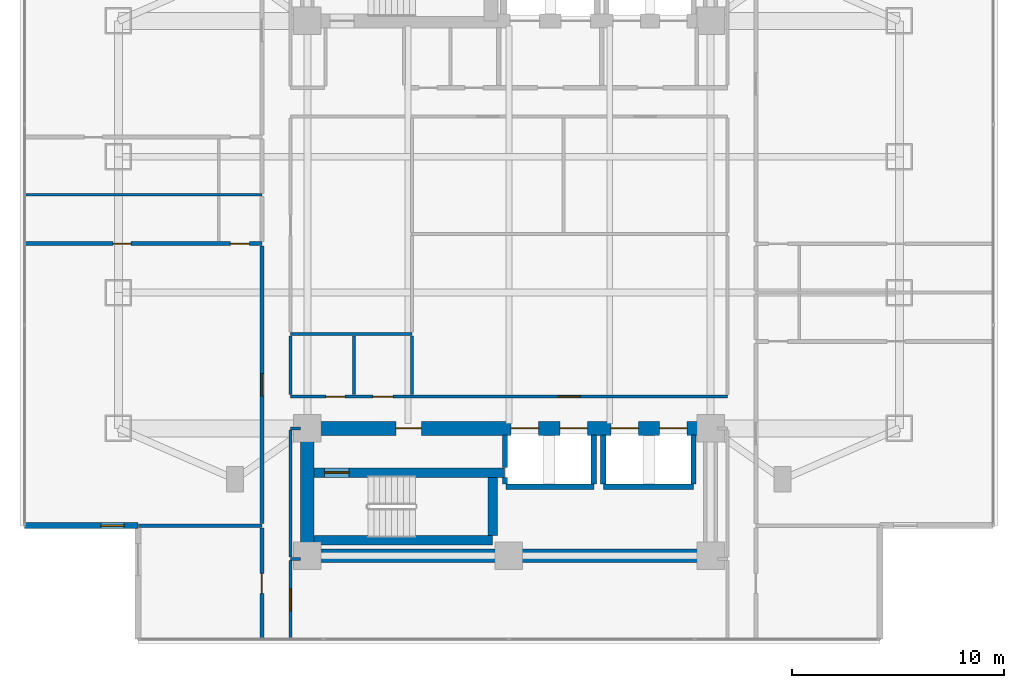
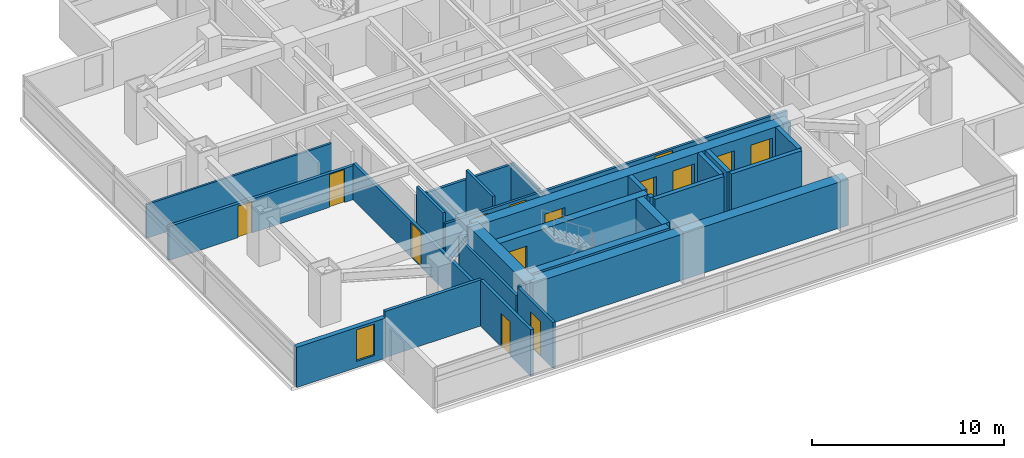
# One storey, part 14 of 26: 28 walls, 14 doors, 1 window, 15 openings.
"""IFC4 building model written with IfcOpenShell, lengths in metres."""

import ifcopenshell
import ifcopenshell.guid

model = None  # the IFC model being written
_history = None  # IfcOwnerHistory: only IFC2X3 demands one
_inside = {}  # id of a spatial element -> (the spatial element, [elements in it])
_under = {}  # id of a project, library or spatial element -> (it, [spatial elements below it])
_declared = {}  # id of a project -> (the project, [libraries it declares])
_typed = {}  # id of a type object -> (the type object, [elements of that type])
_made_of = {}  # id of a material, layer set ... -> (it, [elements and type objects made of it])


def new_model(schema):
    """Start an empty IFC model of exactly this schema.

    Asked for "IFC4X3", IfcOpenShell would pick the latest addendum, in which some entities
    have other attributes; the version numbers below select the first issue.
    IFC2X3 requires an IfcOwnerHistory on every rooted entity: one is made here for all.
    """
    global model, _history
    if schema == "IFC4X3":
        model = ifcopenshell.file(schema_version=(4, 3, 0, 0))
    else:
        model = ifcopenshell.file(schema=schema)
    _inside.clear()
    _under.clear()
    _declared.clear()
    _typed.clear()
    _made_of.clear()
    _history = None
    if model.schema == "IFC2X3":
        org = make("IfcOrganization", Name="unknown")
        user = make(
            "IfcPersonAndOrganization",
            ThePerson=make("IfcPerson", FamilyName="unknown"),
            TheOrganization=org,
        )
        app = make(
            "IfcApplication",
            ApplicationDeveloper=org,
            Version="unknown",
            ApplicationFullName="unknown",
            ApplicationIdentifier="unknown",
        )
        _history = make(
            "IfcOwnerHistory",
            OwningUser=user,
            OwningApplication=app,
            ChangeAction="ADDED",
            CreationDate=0,
        )
    return model


def make(cls, **values):
    """One entity of the class cls with the attributes given. An attribute that is None is left unset."""
    return model.create_entity(
        cls, **{name: value for name, value in values.items() if value is not None}
    )


def rooted(cls, **values):
    """An entity with a GlobalId (a new one), such as an element, a storey or a relation."""
    return make(cls, GlobalId=ifcopenshell.guid.new(), OwnerHistory=_history, **values)


def si_unit(unit_type, name, prefix=None):
    """IfcSIUnit, for example si_unit("LENGTHUNIT", "METRE", prefix="MILLI")."""
    return make("IfcSIUnit", UnitType=unit_type, Prefix=prefix, Name=name)


def assignment(units):
    """IfcUnitAssignment: the units of a project."""
    return None if units is None else make("IfcUnitAssignment", Units=units)


def point(xyz):
    """IfcCartesianPoint."""
    return None if xyz is None else make("IfcCartesianPoint", Coordinates=xyz)


def direction(xyz):
    """IfcDirection."""
    return None if xyz is None else make("IfcDirection", DirectionRatios=xyz)


def frame(location, z_axis=None, x_axis=None):
    """IfcAxis2Placement3D, a coordinate frame: its origin and axes. An axis left out is left unset."""
    return make(
        "IfcAxis2Placement3D",
        Location=point(location),
        Axis=direction(z_axis),
        RefDirection=direction(x_axis),
    )


def frame_2d(location, x_axis=None):
    """IfcAxis2Placement2D, a coordinate frame in the plane: its origin and x axis."""
    return make(
        "IfcAxis2Placement2D", Location=point(location), RefDirection=direction(x_axis)
    )


def origin():
    """The frame at (0, 0, 0) with its axes left unset."""
    return frame((0.0, 0.0, 0.0))


def place(relative_to, where):
    """IfcLocalPlacement: puts the frame where relative to a parent placement (None: the world)."""
    return make(
        "IfcLocalPlacement", PlacementRelTo=relative_to, RelativePlacement=where
    )


def context(
    kind, dimensions, precision=None, world=None, true_north=None, identifier=None
):
    """IfcGeometricRepresentationContext, for example the 3D "Model" context."""
    return make(
        "IfcGeometricRepresentationContext",
        ContextIdentifier=identifier,
        ContextType=kind,
        CoordinateSpaceDimension=dimensions,
        Precision=precision,
        WorldCoordinateSystem=world,
        TrueNorth=true_north,
    )


def subcontext(parent, identifier, kind, view, scale=None):
    """IfcGeometricRepresentationSubContext, for example "Body" below "Model"."""
    return make(
        "IfcGeometricRepresentationSubContext",
        ContextIdentifier=identifier,
        ContextType=kind,
        ParentContext=parent,
        TargetScale=scale,
        TargetView=view,
    )


def project(units=None, contexts=None):
    """IfcProject with its units and contexts."""
    return rooted(
        "IfcProject",
        Name="project",
        RepresentationContexts=contexts,
        UnitsInContext=assignment(units),
    )


def spatial(cls, under=None, at=None, **own):
    """A site, building, storey or space (cls), placed at a placement, below another one or the project."""
    s = rooted(cls, ObjectPlacement=at, **own)
    if under is not None:
        _under.setdefault(under.id(), (under, []))[1].append(s)
    return s


def profile(cls, at=None, kind="AREA", **sizes):
    """A parametric profile (cls). Its sizes go by their IFC names, for example OverallWidth=200.0."""
    return make(cls, ProfileType=kind, Position=at, **sizes)


def rectangle(**sizes):
    """IfcRectangleProfileDef."""
    return profile("IfcRectangleProfileDef", **sizes)


def extrude(swept, where, along, depth):
    """IfcExtrudedAreaSolid: the profile swept, set in the frame where, extruded along a direction by depth."""
    return make(
        "IfcExtrudedAreaSolid",
        SweptArea=swept,
        Position=where,
        ExtrudedDirection=direction(along),
        Depth=depth,
    )


def shape(context_of_items, identifier, shape_type, items):
    """IfcShapeRepresentation: the items that make up one representation, for example the "Body"."""
    return make(
        "IfcShapeRepresentation",
        ContextOfItems=context_of_items,
        RepresentationIdentifier=identifier,
        RepresentationType=shape_type,
        Items=items,
    )


def material(Name=None, Category=None):
    """IfcMaterial."""
    return make("IfcMaterial", Name=Name, Category=Category)


def layer(
    of_material, thickness, ventilated=None, Name=None, Category=None, Priority=None
):
    """IfcMaterialLayer: one layer of a wall or slab, of a material (None: an air gap)."""
    return make(
        "IfcMaterialLayer",
        Material=of_material,
        LayerThickness=thickness,
        IsVentilated=ventilated,
        Name=Name,
        Category=Category,
        Priority=Priority,
    )


def layer_set(layers, Name=None):
    """IfcMaterialLayerSet."""
    return make("IfcMaterialLayerSet", MaterialLayers=layers, LayerSetName=Name)


def made_of(thing, what):
    """Note that an element or type object is made of a material, layer set ...; save() writes the relation."""
    if what is not None:
        _made_of.setdefault(what.id(), (what, []))[1].append(thing)
    return thing


def type_object(cls, material=None, **own):
    """A type object (cls), such as IfcWallType, which elements share."""
    return made_of(rooted(cls, **own), material)


def element(
    cls,
    number,
    at=None,
    inside=None,
    cuts=None,
    type_object=None,
    material=None,
    context=None,
    identifier="Body",
    shape_type=None,
    held_by="IfcProductDefinitionShape",
    body=None,
    shapes=None,
    **own,
):
    """One element of the class cls, such as IfcWall. Its Tag is "e" and its number.

    at: its placement. inside: the storey or other place that contains it. cuts: it is an
    opening in that element (IfcRelVoidsElement). A single representation is given by context,
    identifier, shape_type and body (its items); several are given by shapes. held_by: the class
    of the entity that holds the representations. save() writes the other relations.
    """
    e = rooted(cls, Tag="e%d" % number, ObjectPlacement=at, **own)
    if body is not None:
        shapes = [shape(context, identifier, shape_type, body)]
    if shapes is not None:
        e.Representation = make(held_by, Representations=shapes)
    if inside is not None:
        _inside.setdefault(inside.id(), (inside, []))[1].append(e)
    if cuts is not None:
        rooted(
            "IfcRelVoidsElement", RelatingBuildingElement=cuts, RelatedOpeningElement=e
        )
    if type_object is not None:
        _typed.setdefault(type_object.id(), (type_object, []))[1].append(e)
    return made_of(e, material)


def fill(opening, filler):
    """IfcRelFillsElement: the door or window that sits in an opening."""
    return rooted(
        "IfcRelFillsElement",
        RelatingOpeningElement=opening,
        RelatedBuildingElement=filler,
    )


def aggregate(whole, parts):
    """IfcRelAggregates: a whole, such as a stair, and the parts it consists of."""
    return rooted("IfcRelAggregates", RelatingObject=whole, RelatedObjects=parts)


def save(model, path):
    """Write the relations noted so far, then the file.

    IfcRelAggregates (storeys below a building ...), IfcRelContainedInSpatialStructure (elements
    in a storey), IfcRelDefinesByType, IfcRelAssociatesMaterial and IfcRelDeclares: one each for
    every whole, place, type object, material and project.
    """
    for whole, parts in _under.values():
        aggregate(whole, parts)
    for where, things in _inside.values():
        rooted(
            "IfcRelContainedInSpatialStructure",
            RelatedElements=things,
            RelatingStructure=where,
        )
    for kind, things in _typed.values():
        rooted("IfcRelDefinesByType", RelatedObjects=things, RelatingType=kind)
    for what, things in _made_of.values():
        rooted("IfcRelAssociatesMaterial", RelatedObjects=things, RelatingMaterial=what)
    for by, libraries in _declared.values():
        rooted("IfcRelDeclares", RelatingContext=by, RelatedDefinitions=libraries)
    model.write(path)


model = new_model("IFC4")

# Units and contexts
model_context = context("Model", 3, precision=1e-05, world=origin(), true_north=direction((0.0, 1.0)))
body_context = subcontext(model_context, "Body", "Model", "MODEL_VIEW")
ifc_project = project(units=[si_unit("LENGTHUNIT", "METRE"), si_unit("AREAUNIT", "SQUARE_METRE"), si_unit("VOLUMEUNIT", "CUBIC_METRE"), si_unit("PLANEANGLEUNIT", "RADIAN"), si_unit("MASSUNIT", "GRAM", prefix="KILO")], contexts=[model_context])

# Site, building, storey
site_placement = place(None, origin())
site = spatial("IfcSite", under=ifc_project, at=site_placement, CompositionType="ELEMENT")
building_placement = place(site_placement, origin())
building = spatial("IfcBuilding", under=site, at=building_placement, Name="Mirazonda Arch Towers", CompositionType="ELEMENT")
storey_placement = place(building_placement, frame((0.0, 0.0, 78.5)))
storey = spatial("IfcBuildingStorey", under=building, at=storey_placement, Name="L22", CompositionType="ELEMENT", Elevation=78.5)

# Wall
ifc_material_1 = material(Name="Concrete C50/60", Category="concrete")
ifc_layer_1 = layer(ifc_material_1, 0.449951171875, Name="WALL-CORE-450")
ifc_layer_set_1 = layer_set([ifc_layer_1], Name="Concrete C50/60")
wall_type_1 = type_object("IfcWallType", Name="WALL-CORE-450", PredefinedType="SHEAR", material=ifc_layer_set_1)
wall_1_placement = place(storey_placement, frame((11.320068359375, 13.1201171875, 0.0), z_axis=(0.0, 0.0, 1.0), x_axis=(1.0, 0.0, 0.0)))
element("IfcWall", 1, at=wall_1_placement, inside=storey, type_object=wall_type_1, Name="L22 Stair Core Shear Wall 003", PredefinedType="SHEAR", context=body_context, shape_type="SweptSolid", body=[
    extrude(rectangle(XDim=8.409912109375, YDim=0.449951171875, at=frame_2d((4.205078125, 0.0))), origin(), (0.0, 0.0, 1.0), 2.93994140625),
])

# Wall, opening, door
wall_2_placement = place(storey_placement, frame((11.320068359375, 16.320068359375, 0.0), z_axis=(0.0, 0.0, 1.0), x_axis=(1.0, 0.0, 0.0)))
wall_2 = element("IfcWall", 2, at=wall_2_placement, inside=storey, type_object=wall_type_1, Name="L22 Stair Core Shear Wall 010", PredefinedType="SHEAR", context=body_context, shape_type="SweptSolid", body=[
    extrude(rectangle(XDim=8.9599609375, YDim=0.449951171875, at=frame_2d((4.47998046875, 0.0))), origin(), (0.0, 0.0, 1.0), 2.93994140625),
])
opening_1_placement = place(wall_2_placement, frame((0.4951171875, 0.0, 0.0)))
opening_1 = element("IfcOpeningElement", 3, at=opening_1_placement, cuts=wall_2, Name="Opening DR-135", PredefinedType="OPENING", context=body_context, shape_type="SweptSolid", body=[
    extrude(rectangle(XDim=1.14990234375, YDim=2.199951171875, at=frame_2d((0.574951171875, 1.10009765625))), frame((0.0, 0.23486328125, 0.0), z_axis=(0.0, -1.0, 0.0), x_axis=(1.0, 0.0, 0.0)), (0.0, 0.0, 1.0), 0.469970703125),
])
ifc_material_2 = material(Name="Architectural Brushed Steel S355", Category="steel")
door_type_1 = type_object("IfcDoorType", Name="DOOR-STAIR-FD90-1150", OperationType="NOTDEFINED", PredefinedType="DOOR", material=ifc_material_2)
door_1_placement = place(opening_1_placement, origin())
door_1 = element("IfcDoor", 4, at=door_1_placement, inside=storey, type_object=door_type_1, Name="L22 Protected Exit Stair South Door", OperationType="SINGLE_SWING_LEFT", OverallHeight=2.199951171875, OverallWidth=1.14990234375, PredefinedType="DOOR", context=body_context, shape_type="SweptSolid", body=[
    extrude(rectangle(XDim=1.14990234375, YDim=2.199951171875, at=frame_2d((0.574951171875, 1.10009765625))), frame((0.0, 0.02490234375, 0.0), z_axis=(0.0, -1.0, 0.0), x_axis=(1.0, 0.0, 0.0)), (0.0, 0.0, 1.0), 0.050048828125),
])
fill(opening_1, door_1)

# Walls
wall_3_placement = place(storey_placement, frame((19.72998046875, 13.35498046875, 0.0), z_axis=(0.0, 0.0, 1.0), x_axis=(0.0, 1.0, 0.0)))
element("IfcWall", 5, at=wall_3_placement, inside=storey, type_object=wall_type_1, Name="L22 Stair Core Shear Wall 079", PredefinedType="SHEAR", context=body_context, shape_type="SweptSolid", body=[
    extrude(rectangle(XDim=2.72998046875, YDim=0.449951171875, at=frame_2d((1.364990234375, 0.0))), origin(), (0.0, 0.0, 1.0), 2.93994140625),
])
ifc_material_3 = material(Name="Concrete C60/75", Category="concrete")
ifc_layer_2 = layer(ifc_material_3, 0.64990234375, Name="WALL-CORE-650")
ifc_layer_set_2 = layer_set([ifc_layer_2], Name="Concrete C60/75")
wall_type_2 = type_object("IfcWallType", Name="WALL-CORE-650", PredefinedType="SHEAR", material=ifc_layer_set_2)
wall_4_placement = place(storey_placement, frame((11.0, 12.39990234375, 0.0), z_axis=(0.0, 0.0, 1.0), x_axis=(1.0, 0.0, 0.0)))
element("IfcWall", 6, at=wall_4_placement, inside=storey, type_object=wall_type_2, Name="L22 T1S-S Core Shear Wall", PredefinedType="SHEAR", context=body_context, shape_type="SweptSolid", body=[
    extrude(rectangle(XDim=19.0, YDim=0.64990234375, at=frame_2d((9.5, 0.0))), origin(), (0.0, 0.0, 1.0), 2.93994140625),
])
wall_5_placement = place(storey_placement, frame((11.0, 12.39990234375, 0.0), z_axis=(0.0, 0.0, 1.0), x_axis=(0.0, 1.0, 0.0)))
element("IfcWall", 7, at=wall_5_placement, inside=storey, type_object=wall_type_2, Name="L22 T1S-W Core Shear Wall", PredefinedType="SHEAR", context=body_context, shape_type="SweptSolid", body=[
    extrude(rectangle(XDim=6.0, YDim=0.64990234375, at=frame_2d((3.0, 0.0))), origin(), (0.0, 0.0, 1.0), 2.93994140625),
])

# Wall, openings, doors
wall_6_placement = place(storey_placement, frame((11.0, 18.39990234375, 0.0), z_axis=(0.0, 0.0, 1.0), x_axis=(1.0, 0.0, 0.0)))
wall_6 = element("IfcWall", 8, at=wall_6_placement, inside=storey, type_object=wall_type_2, Name="L22 T1S-N Core Shear Wall", PredefinedType="SHEAR", context=body_context, shape_type="SweptSolid", body=[
    extrude(rectangle(XDim=19.0, YDim=0.64990234375, at=frame_2d((9.5, 0.0))), origin(), (0.0, 0.0, 1.0), 2.93994140625),
])
opening_2_placement = place(wall_6_placement, frame((4.175048828125, 0.0, 0.0)))
opening_2 = element("IfcOpeningElement", 9, at=opening_2_placement, cuts=wall_6, Name="Opening DR-117", PredefinedType="OPENING", context=body_context, shape_type="SweptSolid", body=[
    extrude(rectangle(XDim=1.199951171875, YDim=2.25, at=frame_2d((0.60009765625, 1.125))), frame((0.0, 0.3349609375, 0.0), z_axis=(0.0, -1.0, 0.0), x_axis=(1.0, 0.0, 0.0)), (0.0, 0.0, 1.0), 0.669921875),
])
opening_3_placement = place(wall_6_placement, frame((9.60009765625, 0.0, 0.0)))
opening_3 = element("IfcOpeningElement", 10, at=opening_3_placement, cuts=wall_6, Name="Opening LD-111", PredefinedType="OPENING", context=body_context, shape_type="SweptSolid", body=[
    extrude(rectangle(XDim=1.300048828125, YDim=2.300048828125, at=frame_2d((0.64990234375, 1.14990234375))), frame((0.0, 0.3349609375, 0.0), z_axis=(0.0, -1.0, 0.0), x_axis=(1.0, 0.0, 0.0)), (0.0, 0.0, 1.0), 0.669921875),
])
opening_4_placement = place(wall_6_placement, frame((11.89990234375, 0.0, 0.0)))
opening_4 = element("IfcOpeningElement", 11, at=opening_4_placement, cuts=wall_6, Name="Opening LD-111", PredefinedType="OPENING", context=body_context, shape_type="SweptSolid", body=[
    extrude(rectangle(XDim=1.300048828125, YDim=2.300048828125, at=frame_2d((0.64990234375, 1.14990234375))), frame((0.0, 0.3349609375, 0.0), z_axis=(0.0, -1.0, 0.0), x_axis=(1.0, 0.0, 0.0)), (0.0, 0.0, 1.0), 0.669921875),
])
opening_5_placement = place(wall_6_placement, frame((14.300048828125, 0.0, 0.0)))
opening_5 = element("IfcOpeningElement", 12, at=opening_5_placement, cuts=wall_6, Name="Opening LD-111", PredefinedType="OPENING", context=body_context, shape_type="SweptSolid", body=[
    extrude(rectangle(XDim=1.300048828125, YDim=2.300048828125, at=frame_2d((0.64990234375, 1.14990234375))), frame((0.0, 0.3349609375, 0.0), z_axis=(0.0, -1.0, 0.0), x_axis=(1.0, 0.0, 0.0)), (0.0, 0.0, 1.0), 0.669921875),
])
opening_6_placement = place(wall_6_placement, frame((16.60009765625, 0.0, 0.0)))
opening_6 = element("IfcOpeningElement", 13, at=opening_6_placement, cuts=wall_6, Name="Opening LD-111", PredefinedType="OPENING", context=body_context, shape_type="SweptSolid", body=[
    extrude(rectangle(XDim=1.300048828125, YDim=2.300048828125, at=frame_2d((0.64990234375, 1.14990234375))), frame((0.0, 0.3349609375, 0.0), z_axis=(0.0, -1.0, 0.0), x_axis=(1.0, 0.0, 0.0)), (0.0, 0.0, 1.0), 0.669921875),
])
door_type_2 = type_object("IfcDoorType", Name="DOOR-FFL-FD90-1200", OperationType="NOTDEFINED", PredefinedType="DOOR", material=ifc_material_2)
door_2_placement = place(opening_2_placement, origin())
door_2 = element("IfcDoor", 14, at=door_2_placement, inside=storey, type_object=door_type_2, Name="L22 South Core Stair & Lift Lobby Door", OperationType="SINGLE_SWING_RIGHT", OverallHeight=2.25, OverallWidth=1.199951171875, PredefinedType="DOOR", context=body_context, shape_type="SweptSolid", body=[
    extrude(rectangle(XDim=1.199951171875, YDim=2.25, at=frame_2d((0.60009765625, 1.125))), frame((0.0, 0.02490234375, 0.0), z_axis=(0.0, -1.0, 0.0), x_axis=(1.0, 0.0, 0.0)), (0.0, 0.0, 1.0), 0.050048828125),
])
fill(opening_2, door_2)
door_type_3 = type_object("IfcDoorType", Name="DOOR-LIFT-LAND-1300", OperationType="NOTDEFINED", PredefinedType="DOOR", material=ifc_material_2)
door_3_placement = place(opening_3_placement, origin())
door_3 = element("IfcDoor", 15, at=door_3_placement, inside=storey, type_object=door_type_3, Name="L22 Lift Landing Sliding Door PL-T1M1", OperationType="DOUBLE_DOOR_SLIDING", OverallHeight=2.300048828125, OverallWidth=1.300048828125, PredefinedType="DOOR", context=body_context, shape_type="SweptSolid", body=[
    extrude(rectangle(XDim=1.300048828125, YDim=2.300048828125, at=frame_2d((0.64990234375, 1.14990234375))), frame((0.0, 0.02490234375, 0.0), z_axis=(0.0, -1.0, 0.0), x_axis=(1.0, 0.0, 0.0)), (0.0, 0.0, 1.0), 0.050048828125),
])
fill(opening_3, door_3)
door_4_placement = place(opening_4_placement, origin())
door_4 = element("IfcDoor", 16, at=door_4_placement, inside=storey, type_object=door_type_3, Name="L22 Lift Landing Sliding Door PL-T1M2", OperationType="DOUBLE_DOOR_SLIDING", OverallHeight=2.300048828125, OverallWidth=1.300048828125, PredefinedType="DOOR", context=body_context, shape_type="SweptSolid", body=[
    extrude(rectangle(XDim=1.300048828125, YDim=2.300048828125, at=frame_2d((0.64990234375, 1.14990234375))), frame((0.0, 0.02490234375, 0.0), z_axis=(0.0, -1.0, 0.0), x_axis=(1.0, 0.0, 0.0)), (0.0, 0.0, 1.0), 0.050048828125),
])
fill(opening_4, door_4)
door_5_placement = place(opening_5_placement, origin())
door_5 = element("IfcDoor", 17, at=door_5_placement, inside=storey, type_object=door_type_3, Name="L22 Lift Landing Sliding Door PL-T1H1", OperationType="DOUBLE_DOOR_SLIDING", OverallHeight=2.300048828125, OverallWidth=1.300048828125, PredefinedType="DOOR", context=body_context, shape_type="SweptSolid", body=[
    extrude(rectangle(XDim=1.300048828125, YDim=2.300048828125, at=frame_2d((0.64990234375, 1.14990234375))), frame((0.0, 0.02490234375, 0.0), z_axis=(0.0, -1.0, 0.0), x_axis=(1.0, 0.0, 0.0)), (0.0, 0.0, 1.0), 0.050048828125),
])
fill(opening_5, door_5)
door_6_placement = place(opening_6_placement, origin())
door_6 = element("IfcDoor", 18, at=door_6_placement, inside=storey, type_object=door_type_3, Name="L22 Lift Landing Sliding Door PL-T1H2", OperationType="DOUBLE_DOOR_SLIDING", OverallHeight=2.300048828125, OverallWidth=1.300048828125, PredefinedType="DOOR", context=body_context, shape_type="SweptSolid", body=[
    extrude(rectangle(XDim=1.300048828125, YDim=2.300048828125, at=frame_2d((0.64990234375, 1.14990234375))), frame((0.0, 0.02490234375, 0.0), z_axis=(0.0, -1.0, 0.0), x_axis=(1.0, 0.0, 0.0)), (0.0, 0.0, 1.0), 0.050048828125),
])
fill(opening_6, door_6)

# Wall, opening, window
ifc_material_4 = material(Name="Precast Concrete C40/50", Category="concrete")
ifc_layer_3 = layer(ifc_material_4, 0.280029296875, Name="WALL-EXT-WALL-280")
ifc_layer_set_3 = layer_set([ifc_layer_3], Name="Precast Concrete C40/50")
wall_type_3 = type_object("IfcWallType", Name="WALL-EXT-WALL-280", PredefinedType="SOLIDWALL", material=ifc_layer_set_3)
wall_7_placement = place(storey_placement, frame((-2.320068359375, 13.81591796875, 0.0), z_axis=(0.0, 0.0, 1.0), x_axis=(1.0, 0.0, 0.0)))
wall_7 = element("IfcWall", 19, at=wall_7_placement, inside=storey, type_object=wall_type_3, Name="L22 T1 Corner Notch Return Wall WL-L22-T1-CSW2", PredefinedType="SOLIDWALL", context=body_context, shape_type="SweptSolid", body=[
    extrude(rectangle(XDim=5.340087890625, YDim=0.280029296875, at=frame_2d((2.669921875, 0.0))), origin(), (0.0, 0.0, 1.0), 2.56005859375),
])
opening_7_placement = place(wall_7_placement, frame((3.590087890625, 0.0, 0.409912109375)))
opening_7 = element("IfcOpeningElement", 20, at=opening_7_placement, cuts=wall_7, Name="Opening WN-108", PredefinedType="OPENING", context=body_context, shape_type="SweptSolid", body=[
    extrude(rectangle(XDim=1.10009765625, YDim=2.0, at=frame_2d((0.550048828125, 1.0))), frame((0.0, 0.14990234375, 0.0), z_axis=(0.0, -1.0, 0.0), x_axis=(1.0, 0.0, 0.0)), (0.0, 0.0, 1.0), 0.300048828125),
])
ifc_material_5 = material(Name="Insulated Low-E Solar Glass", Category="glass")
window_type = type_object("IfcWindowType", Name="WIN-NOTCH-1100x2000", PartitioningType="SINGLE_PANEL", PredefinedType="WINDOW", material=ifc_material_5)
window_placement = place(opening_7_placement, origin())
window = element("IfcWindow", 21, at=window_placement, inside=storey, type_object=window_type, Name="L22 Punched Facade Window WN-L22-T1-CSW2", OverallHeight=2.0, OverallWidth=1.10009765625, PartitioningType="SINGLE_PANEL", PredefinedType="WINDOW", context=body_context, shape_type="SweptSolid", body=[
    extrude(rectangle(XDim=1.10009765625, YDim=2.0, at=frame_2d((0.550048828125, 1.0))), frame((0.0, 0.030029296875, 0.0), z_axis=(0.0, -1.0, 0.0), x_axis=(1.0, 0.0, 0.0)), (0.0, 0.0, 1.0), 0.06005859375),
])
fill(opening_7, window)

# Walls
ifc_material_6 = material(Name="Fire-Rated Gypsum Stud Partition")
ifc_layer_4 = layer(ifc_material_6, 0.14990234375, Name="WALL-PART-CORR-150")
ifc_layer_set_4 = layer_set([ifc_layer_4], Name="Fire-Rated Gypsum Stud Partition")
wall_type_4 = type_object("IfcWallType", Name="WALL-PART-CORR-150", PredefinedType="PARTITIONING", material=ifc_layer_set_4)
wall_8_placement = place(storey_placement, frame((10.199951171875, 12.25, 0.0), z_axis=(0.0, 0.0, 1.0), x_axis=(1.0, 0.0, 0.0)))
element("IfcWall", 22, at=wall_8_placement, inside=storey, type_object=wall_type_4, Name="L22 Interior Partition 001", PredefinedType="PARTITIONING", context=body_context, shape_type="SweptSolid", body=[
    extrude(rectangle(XDim=0.47998046875, YDim=0.14990234375, at=frame_2d((0.239990234375, 0.0))), origin(), (0.0, 0.0, 1.0), 2.93994140625),
])
wall_9_placement = place(storey_placement, frame((10.199951171875, 18.39990234375, 0.0), z_axis=(0.0, 0.0, 1.0), x_axis=(1.0, 0.0, 0.0)))
element("IfcWall", 23, at=wall_9_placement, inside=storey, type_object=wall_type_4, Name="L22 Interior Partition 012", PredefinedType="PARTITIONING", context=body_context, shape_type="SweptSolid", body=[
    extrude(rectangle(XDim=0.47998046875, YDim=0.14990234375, at=frame_2d((0.239990234375, 0.0))), origin(), (0.0, 0.0, 1.0), 2.31591796875),
])

# Wall, openings, doors
wall_10_placement = place(storey_placement, frame((10.199951171875, 19.89990234375, 0.0), z_axis=(0.0, 0.0, 1.0), x_axis=(1.0, 0.0, 0.0)))
wall_10 = element("IfcWall", 24, at=wall_10_placement, inside=storey, type_object=wall_type_4, Name="L22 Interior Partition 015", PredefinedType="PARTITIONING", context=body_context, shape_type="SweptSolid", body=[
    extrude(rectangle(XDim=20.60009765625, YDim=0.14990234375, at=frame_2d((10.300048828125, 0.0))), origin(), (0.0, 0.0, 1.0), 2.31591796875),
])
opening_8_placement = place(wall_10_placement, frame((1.669921875, 0.0, 0.0)))
opening_8 = element("IfcOpeningElement", 25, at=opening_8_placement, cuts=wall_10, Name="Opening DR-120", PredefinedType="OPENING", context=body_context, shape_type="SweptSolid", body=[
    extrude(rectangle(XDim=0.89990234375, YDim=2.10009765625, at=frame_2d((0.449951171875, 1.050048828125))), frame((0.0, 0.0849609375, 0.0), z_axis=(0.0, -1.0, 0.0), x_axis=(1.0, 0.0, 0.0)), (0.0, 0.0, 1.0), 0.169921875),
])
opening_9_placement = place(wall_10_placement, frame((3.889892578125, 0.0, 0.0)))
opening_9 = element("IfcOpeningElement", 26, at=opening_9_placement, cuts=wall_10, Name="Opening DR-104", PredefinedType="OPENING", context=body_context, shape_type="SweptSolid", body=[
    extrude(rectangle(XDim=0.949951171875, YDim=2.14990234375, at=frame_2d((0.47509765625, 1.074951171875))), frame((0.0, 0.0849609375, 0.0), z_axis=(0.0, -1.0, 0.0), x_axis=(1.0, 0.0, 0.0)), (0.0, 0.0, 1.0), 0.169921875),
])
opening_10_placement = place(wall_10_placement, frame((12.6201171875, 0.0, 0.0)))
opening_10 = element("IfcOpeningElement", 27, at=opening_10_placement, cuts=wall_10, Name="Opening DR-121", PredefinedType="OPENING", context=body_context, shape_type="SweptSolid", body=[
    extrude(rectangle(XDim=1.050048828125, YDim=2.199951171875, at=frame_2d((0.52490234375, 1.10009765625))), frame((0.0, 0.0849609375, 0.0), z_axis=(0.0, -1.0, 0.0), x_axis=(1.0, 0.0, 0.0)), (0.0, 0.0, 1.0), 0.169921875),
])
door_type_4 = type_object("IfcDoorType", Name="DOOR-ROOM-950", OperationType="NOTDEFINED", PredefinedType="DOOR", material=ifc_material_2)
door_7_placement = place(opening_9_placement, origin())
door_7 = element("IfcDoor", 28, at=door_7_placement, inside=storey, type_object=door_type_4, Name="L22 L22 West Courtyard Study Door", OperationType="SINGLE_SWING_LEFT", OverallHeight=2.14990234375, OverallWidth=0.949951171875, PredefinedType="DOOR", context=body_context, shape_type="SweptSolid", body=[
    extrude(rectangle(XDim=0.949951171875, YDim=2.14990234375, at=frame_2d((0.47509765625, 1.074951171875))), frame((0.0, 0.02490234375, 0.0), z_axis=(0.0, -1.0, 0.0), x_axis=(1.0, 0.0, 0.0)), (0.0, 0.0, 1.0), 0.050048828125),
])
fill(opening_9, door_7)
door_type_5 = type_object("IfcDoorType", Name="DOOR-SUITE-FD60-1050", OperationType="NOTDEFINED", PredefinedType="DOOR", material=ifc_material_2)
door_8_placement = place(opening_10_placement, origin())
door_8 = element("IfcDoor", 29, at=door_8_placement, inside=storey, type_object=door_type_5, Name="L22 Executive Club Lounge Door", OperationType="SINGLE_SWING_LEFT", OverallHeight=2.199951171875, OverallWidth=1.050048828125, PredefinedType="DOOR", context=body_context, shape_type="SweptSolid", body=[
    extrude(rectangle(XDim=1.050048828125, YDim=2.199951171875, at=frame_2d((0.52490234375, 1.10009765625))), frame((0.0, 0.02490234375, 0.0), z_axis=(0.0, -1.0, 0.0), x_axis=(1.0, 0.0, 0.0)), (0.0, 0.0, 1.0), 0.050048828125),
])
fill(opening_10, door_8)
door_type_6 = type_object("IfcDoorType", Name="DOOR-WC-900", OperationType="NOTDEFINED", PredefinedType="DOOR", material=ifc_material_2)
door_9_placement = place(opening_8_placement, origin())
door_9 = element("IfcDoor", 30, at=door_9_placement, inside=storey, type_object=door_type_6, Name="L22 Common Accessible WC Door", OperationType="SINGLE_SWING_RIGHT", OverallHeight=2.10009765625, OverallWidth=0.89990234375, PredefinedType="DOOR", context=body_context, shape_type="SweptSolid", body=[
    extrude(rectangle(XDim=0.89990234375, YDim=2.10009765625, at=frame_2d((0.449951171875, 1.050048828125))), frame((0.0, 0.02490234375, 0.0), z_axis=(0.0, -1.0, 0.0), x_axis=(1.0, 0.0, 0.0)), (0.0, 0.0, 1.0), 0.050048828125),
])
fill(opening_8, door_9)

# Wall
wall_11_placement = place(storey_placement, frame((10.199951171875, 22.85009765625, 0.0), z_axis=(0.0, 0.0, 1.0), x_axis=(1.0, 0.0, 0.0)))
element("IfcWall", 31, at=wall_11_placement, inside=storey, type_object=wall_type_4, Name="L22 Interior Partition 022", PredefinedType="PARTITIONING", context=body_context, shape_type="SweptSolid", body=[
    extrude(rectangle(XDim=5.72998046875, YDim=0.14990234375, at=frame_2d((2.864990234375, 0.0))), origin(), (0.0, 0.0, 1.0), 2.31591796875),
])

# Wall, opening, door
wall_12_placement = place(storey_placement, frame((10.199951171875, 8.47607421875, 0.0), z_axis=(0.0, 0.0, 1.0), x_axis=(0.0, 1.0, 0.0)))
wall_12 = element("IfcWall", 32, at=wall_12_placement, inside=storey, type_object=wall_type_4, Name="L22 Interior Partition 065", PredefinedType="PARTITIONING", context=body_context, shape_type="SweptSolid", body=[
    extrude(rectangle(XDim=3.68896484375, YDim=0.14990234375, at=frame_2d((1.844482421875, 0.0))), origin(), (0.0, 0.0, 1.0), 2.93994140625),
])
opening_11_placement = place(wall_12_placement, frame((1.319580078125, 0.0, 0.0)))
opening_11 = element("IfcOpeningElement", 33, at=opening_11_placement, cuts=wall_12, Name="Opening DR-121", PredefinedType="OPENING", context=body_context, shape_type="SweptSolid", body=[
    extrude(rectangle(XDim=1.050048828125, YDim=2.199951171875, at=frame_2d((0.52490234375, 1.10009765625))), frame((0.0, 0.0849609375, 0.0), z_axis=(0.0, -1.0, 0.0), x_axis=(1.0, 0.0, 0.0)), (0.0, 0.0, 1.0), 0.169921875),
])
door_10_placement = place(opening_11_placement, origin())
door_10 = element("IfcDoor", 34, at=door_10_placement, inside=storey, type_object=door_type_5, Name="L22 South Horizon Lounge Gallery Door", OperationType="SINGLE_SWING_RIGHT", OverallHeight=2.199951171875, OverallWidth=1.050048828125, PredefinedType="DOOR", context=body_context, shape_type="SweptSolid", body=[
    extrude(rectangle(XDim=1.050048828125, YDim=2.199951171875, at=frame_2d((0.52490234375, 1.10009765625))), frame((0.0, 0.02490234375, 0.0), z_axis=(0.0, -1.0, 0.0), x_axis=(1.0, 0.0, 0.0)), (0.0, 0.0, 1.0), 0.050048828125),
])
fill(opening_11, door_10)

# Walls
wall_13_placement = place(storey_placement, frame((10.199951171875, 12.3349609375, 0.0), z_axis=(0.0, 0.0, 1.0), x_axis=(0.0, 1.0, 0.0)))
element("IfcWall", 35, at=wall_13_placement, inside=storey, type_object=wall_type_4, Name="L22 Interior Partition 066", PredefinedType="PARTITIONING", context=body_context, shape_type="SweptSolid", body=[
    extrude(rectangle(XDim=5.97998046875, YDim=0.14990234375, at=frame_2d((2.989990234375, 0.0))), origin(), (0.0, 0.0, 1.0), 2.31591796875),
])
for number, where, z_axis, x_axis, name in (
    (36, (10.206787109375, 19.985107421875, 0.0), (0.0, 0.0, 1.0), (0.0, 1.0, 0.0), "L22 Interior Partition 067"),
    (37, (13.199951171875, 19.985107421875, 0.0), (0.0, 0.0, 1.0), (0.0, 1.0, 0.0), "L22 Interior Partition 072"),
):
    element("IfcWall", number, at=place(storey_placement, frame(where, z_axis=z_axis, x_axis=x_axis)), inside=storey, type_object=wall_type_4, Name=name, PredefinedType="PARTITIONING", context=body_context, shape_type="SweptSolid", body=[
        extrude(rectangle(XDim=2.77978515625, YDim=0.14990234375, at=frame_2d((1.389892578125, 0.0))), origin(), (0.0, 0.0, 1.0), 2.93994140625),
    ])
wall_14_placement = place(storey_placement, frame((15.929931640625, 19.985107421875, 0.0), z_axis=(0.0, 0.0, 1.0), x_axis=(0.0, 1.0, 0.0)))
element("IfcWall", 38, at=wall_14_placement, inside=storey, type_object=wall_type_4, Name="L22 Interior Partition 074", PredefinedType="PARTITIONING", context=body_context, shape_type="SweptSolid", body=[
    extrude(rectangle(XDim=2.77978515625, YDim=0.14990234375, at=frame_2d((1.389892578125, 0.0))), origin(), (0.0, 0.0, 1.0), 2.468994140625),
])
ifc_material_7 = material(Name="Fire-Rated Gypsum Twin-Stud Assembly")
ifc_layer_5 = layer(ifc_material_7, 0.179931640625, Name="WALL-PART-DEMISE-180")
ifc_layer_set_5 = layer_set([ifc_layer_5], Name="Fire-Rated Gypsum Twin-Stud Assembly")
wall_type_5 = type_object("IfcWallType", Name="WALL-PART-DEMISE-180", PredefinedType="PARTITIONING", material=ifc_layer_set_5)
wall_15_placement = place(storey_placement, frame((3.0400390625, 13.81591796875, 0.0), z_axis=(0.0, 0.0, 1.0), x_axis=(1.0, 0.0, 0.0)))
element("IfcWall", 39, at=wall_15_placement, inside=storey, type_object=wall_type_5, Name="L22 Interior Partition 004", PredefinedType="PARTITIONING", context=body_context, shape_type="SweptSolid", body=[
    extrude(rectangle(XDim=5.820068359375, YDim=0.179931640625, at=frame_2d((2.91015625, 0.0))), origin(), (0.0, 0.0, 1.0), 2.93994140625),
])

# Wall, openings, doors
wall_16_placement = place(storey_placement, frame((-2.320068359375, 27.10498046875, 0.0), z_axis=(0.0, 0.0, 1.0), x_axis=(1.0, 0.0, 0.0)))
wall_16 = element("IfcWall", 40, at=wall_16_placement, inside=storey, type_object=wall_type_5, Name="L22 Interior Partition 028", PredefinedType="PARTITIONING", context=body_context, shape_type="SweptSolid", body=[
    extrude(rectangle(XDim=11.18017578125, YDim=0.179931640625, at=frame_2d((5.590087890625, 0.0))), origin(), (0.0, 0.0, 1.0), 2.158935546875),
])
opening_12_placement = place(wall_16_placement, frame((4.1650390625, 0.0, 0.0)))
opening_12 = element("IfcOpeningElement", 41, at=opening_12_placement, cuts=wall_16, Name="Opening DR-128", PredefinedType="OPENING", context=body_context, shape_type="SweptSolid", body=[
    extrude(rectangle(XDim=0.85009765625, YDim=2.010009765625, at=frame_2d((0.425048828125, 1.0048828125))), frame((0.0, 0.099853515625, 0.0), z_axis=(0.0, -1.0, 0.0), x_axis=(1.0, 0.0, 0.0)), (0.0, 0.0, 1.0), 0.199951171875),
])
opening_13_placement = place(wall_16_placement, frame((9.68994140625, 0.0, 0.0)))
opening_13 = element("IfcOpeningElement", 42, at=opening_13_placement, cuts=wall_16, Name="Opening DR-120", PredefinedType="OPENING", context=body_context, shape_type="SweptSolid", body=[
    extrude(rectangle(XDim=0.89990234375, YDim=2.10009765625, at=frame_2d((0.449951171875, 1.050048828125))), frame((0.0, 0.099853515625, 0.0), z_axis=(0.0, -1.0, 0.0), x_axis=(1.0, 0.0, 0.0)), (0.0, 0.0, 1.0), 0.199951171875),
])
door_type_7 = type_object("IfcDoorType", Name="DOOR-RISER-FD60-850", OperationType="NOTDEFINED", PredefinedType="DOOR", material=ifc_material_2)
door_11_placement = place(opening_12_placement, origin())
door_11 = element("IfcDoor", 43, at=door_11_placement, inside=storey, type_object=door_type_7, Name="L22 Suite Bedroom 1 Door", OperationType="SINGLE_SWING_RIGHT", OverallHeight=2.010009765625, OverallWidth=0.85009765625, PredefinedType="DOOR", context=body_context, shape_type="SweptSolid", body=[
    extrude(rectangle(XDim=0.85009765625, YDim=2.010009765625, at=frame_2d((0.425048828125, 1.0048828125))), frame((0.0, 0.02490234375, 0.0), z_axis=(0.0, -1.0, 0.0), x_axis=(1.0, 0.0, 0.0)), (0.0, 0.0, 1.0), 0.050048828125),
])
fill(opening_12, door_11)
door_12_placement = place(opening_13_placement, origin())
door_12 = element("IfcDoor", 44, at=door_12_placement, inside=storey, type_object=door_type_6, Name="L22 Suite En-Suite Bathroom 1 Door", OperationType="SINGLE_SWING_LEFT", OverallHeight=2.10009765625, OverallWidth=0.89990234375, PredefinedType="DOOR", context=body_context, shape_type="SweptSolid", body=[
    extrude(rectangle(XDim=0.89990234375, YDim=2.10009765625, at=frame_2d((0.449951171875, 1.050048828125))), frame((0.0, 0.02490234375, 0.0), z_axis=(0.0, -1.0, 0.0), x_axis=(1.0, 0.0, 0.0)), (0.0, 0.0, 1.0), 0.050048828125),
])
fill(opening_13, door_12)

# Wall, opening, door
wall_17_placement = place(storey_placement, frame((8.860107421875, 8.47607421875, 0.0), z_axis=(0.0, 0.0, 1.0), x_axis=(0.0, 1.0, 0.0)))
wall_17 = element("IfcWall", 45, at=wall_17_placement, inside=storey, type_object=wall_type_5, Name="L22 Interior Partition 059", PredefinedType="PARTITIONING", context=body_context, shape_type="SweptSolid", body=[
    extrude(rectangle(XDim=5.239990234375, YDim=0.179931640625, at=frame_2d((2.6201171875, 0.0))), origin(), (0.0, 0.0, 1.0), 2.93994140625),
])
opening_14_placement = place(wall_17_placement, frame((2.14501953125, 0.0, 0.0)))
opening_14 = element("IfcOpeningElement", 46, at=opening_14_placement, cuts=wall_17, Name="Opening DR-104", PredefinedType="OPENING", context=body_context, shape_type="SweptSolid", body=[
    extrude(rectangle(XDim=0.949951171875, YDim=2.14990234375, at=frame_2d((0.47509765625, 1.074951171875))), frame((0.0, 0.099853515625, 0.0), z_axis=(0.0, -1.0, 0.0), x_axis=(1.0, 0.0, 0.0)), (0.0, 0.0, 1.0), 0.199951171875),
])
door_13_placement = place(opening_14_placement, origin())
door_13 = element("IfcDoor", 47, at=door_13_placement, inside=storey, type_object=door_type_4, Name="L22 South Horizon Lounge Alcove West Door", OperationType="SINGLE_SWING_LEFT", OverallHeight=2.14990234375, OverallWidth=0.949951171875, PredefinedType="DOOR", context=body_context, shape_type="SweptSolid", body=[
    extrude(rectangle(XDim=0.949951171875, YDim=2.14990234375, at=frame_2d((0.47509765625, 1.074951171875))), frame((0.0, 0.02490234375, 0.0), z_axis=(0.0, -1.0, 0.0), x_axis=(1.0, 0.0, 0.0)), (0.0, 0.0, 1.0), 0.050048828125),
])
fill(opening_14, door_13)

wall_18_placement = place(storey_placement, frame((8.860107421875, 13.916015625, 0.0), z_axis=(0.0, 0.0, 1.0), x_axis=(0.0, 1.0, 0.0)))
wall_18 = element("IfcWall", 48, at=wall_18_placement, inside=storey, type_object=wall_type_5, Name="L22 Interior Partition 060", PredefinedType="PARTITIONING", context=body_context, shape_type="SweptSolid", body=[
    extrude(rectangle(XDim=13.0888671875, YDim=0.179931640625, at=frame_2d((6.54443359375, 0.0))), origin(), (0.0, 0.0, 1.0), 2.31591796875),
])
opening_15_placement = place(wall_18_placement, frame((6.01953125, 0.0, 0.0)))
opening_15 = element("IfcOpeningElement", 49, at=opening_15_placement, cuts=wall_18, Name="Opening DR-121", PredefinedType="OPENING", context=body_context, shape_type="SweptSolid", body=[
    extrude(rectangle(XDim=1.050048828125, YDim=2.199951171875, at=frame_2d((0.52490234375, 1.10009765625))), frame((0.0, 0.099853515625, 0.0), z_axis=(0.0, -1.0, 0.0), x_axis=(1.0, 0.0, 0.0)), (0.0, 0.0, 1.0), 0.199951171875),
])
door_14_placement = place(opening_15_placement, origin())
door_14 = element("IfcDoor", 50, at=door_14_placement, inside=storey, type_object=door_type_5, Name="L22 Presidential Hotel Suite 1 Door", OperationType="SINGLE_SWING_LEFT", OverallHeight=2.199951171875, OverallWidth=1.050048828125, PredefinedType="DOOR", context=body_context, shape_type="SweptSolid", body=[
    extrude(rectangle(XDim=1.050048828125, YDim=2.199951171875, at=frame_2d((0.52490234375, 1.10009765625))), frame((0.0, 0.02490234375, 0.0), z_axis=(0.0, -1.0, 0.0), x_axis=(1.0, 0.0, 0.0)), (0.0, 0.0, 1.0), 0.050048828125),
])
fill(opening_15, door_14)

# Walls
ifc_material_8 = material(Name="Acoustic Fire-Rated Gypsum Partition")
ifc_layer_6 = layer(ifc_material_8, 0.125, Name="WALL-PART-UNIT-125")
ifc_layer_set_6 = layer_set([ifc_layer_6], Name="Acoustic Fire-Rated Gypsum Partition")
wall_type_6 = type_object("IfcWallType", Name="WALL-PART-UNIT-125", PredefinedType="PARTITIONING", material=ifc_layer_set_6)
wall_19_placement = place(storey_placement, frame((-2.320068359375, 29.405029296875, 0.0), z_axis=(0.0, 0.0, 1.0), x_axis=(1.0, 0.0, 0.0)))
element("IfcWall", 51, at=wall_19_placement, inside=storey, type_object=wall_type_6, Name="L22 Interior Partition 032", PredefinedType="PARTITIONING", context=body_context, shape_type="SweptSolid", body=[
    extrude(rectangle(XDim=11.18017578125, YDim=0.125, at=frame_2d((5.590087890625, 0.0))), origin(), (0.0, 0.0, 1.0), 2.158935546875),
])
ifc_material_9 = material(Name="Concrete C40/50", Category="concrete")
ifc_layer_7 = layer(ifc_material_9, 0.25, Name="WALL-SHAFT-250")
ifc_layer_set_7 = layer_set([ifc_layer_7], Name="Concrete C40/50")
wall_type_7 = type_object("IfcWallType", Name="WALL-SHAFT-250", PredefinedType="SOLIDWALL", material=ifc_layer_set_7)
wall_20_placement = place(storey_placement, frame((20.35009765625, 15.64990234375, 0.0), z_axis=(0.0, 0.0, 1.0), x_axis=(1.0, 0.0, 0.0)))
element("IfcWall", 52, at=wall_20_placement, inside=storey, type_object=wall_type_7, Name="L22 Interior Partition 006", PredefinedType="SOLIDWALL", context=body_context, shape_type="SweptSolid", body=[
    extrude(rectangle(XDim=4.14990234375, YDim=0.25, at=frame_2d((2.074951171875, 0.0))), origin(), (0.0, 0.0, 1.0), 2.93994140625),
])
wall_21_placement = place(storey_placement, frame((24.949951171875, 15.64990234375, 0.0), z_axis=(0.0, 0.0, 1.0), x_axis=(1.0, 0.0, 0.0)))
element("IfcWall", 53, at=wall_21_placement, inside=storey, type_object=wall_type_7, Name="L22 Interior Partition 007", PredefinedType="SOLIDWALL", context=body_context, shape_type="SweptSolid", body=[
    extrude(rectangle(XDim=4.25, YDim=0.25, at=frame_2d((2.125, 0.0))), origin(), (0.0, 0.0, 1.0), 2.93994140625),
])
wall_22_placement = place(storey_placement, frame((20.31494140625, 15.784912109375, 0.0), z_axis=(0.0, 0.0, 1.0), x_axis=(0.0, 1.0, 0.0)))
element("IfcWall", 54, at=wall_22_placement, inside=storey, type_object=wall_type_7, Name="L22 Interior Partition 081", PredefinedType="SOLIDWALL", context=body_context, shape_type="SweptSolid", body=[
    extrude(rectangle(XDim=0.300048828125, YDim=0.25, at=frame_2d((0.14990234375, 0.0))), origin(), (0.0, 0.0, 1.0), 2.93994140625),
])
wall_23_placement = place(storey_placement, frame((20.31494140625, 16.554931640625, 0.0), z_axis=(0.0, 0.0, 1.0), x_axis=(0.0, 1.0, 0.0)))
element("IfcWall", 55, at=wall_23_placement, inside=storey, type_object=wall_type_7, Name="L22 Interior Partition 082", PredefinedType="SOLIDWALL", context=body_context, shape_type="SweptSolid", body=[
    extrude(rectangle(XDim=1.525146484375, YDim=0.25, at=frame_2d((0.7626953125, 0.0))), origin(), (0.0, 0.0, 1.0), 2.93994140625),
])
for number, where, z_axis, x_axis, name in (
    (56, (24.5, 15.784912109375, 0.0), (0.0, 0.0, 1.0), (0.0, 1.0, 0.0), "L22 Interior Partition 085"),
    (57, (24.949951171875, 15.784912109375, 0.0), (0.0, 0.0, 1.0), (0.0, 1.0, 0.0), "L22 Interior Partition 087"),
    (58, (29.199951171875, 15.784912109375, 0.0), (0.0, 0.0, 1.0), (0.0, 1.0, 0.0), "L22 Interior Partition 090"),
):
    element("IfcWall", number, at=place(storey_placement, frame(where, z_axis=z_axis, x_axis=x_axis)), inside=storey, type_object=wall_type_7, Name=name, PredefinedType="SOLIDWALL", context=body_context, shape_type="SweptSolid", body=[
        extrude(rectangle(XDim=2.295166015625, YDim=0.25, at=frame_2d((1.1474609375, 0.0))), origin(), (0.0, 0.0, 1.0), 2.93994140625),
    ])

save(model, "model.ifc")
